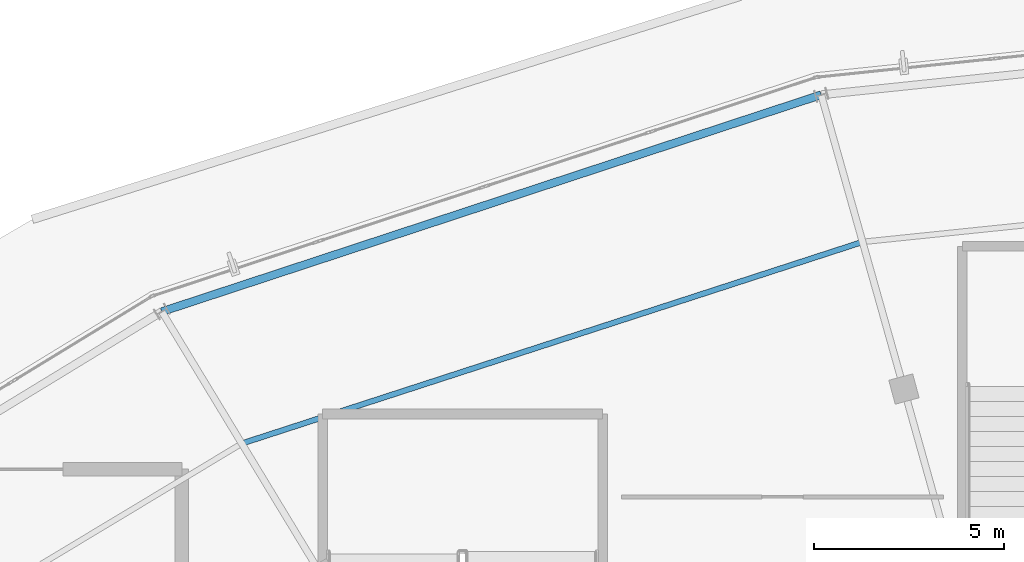
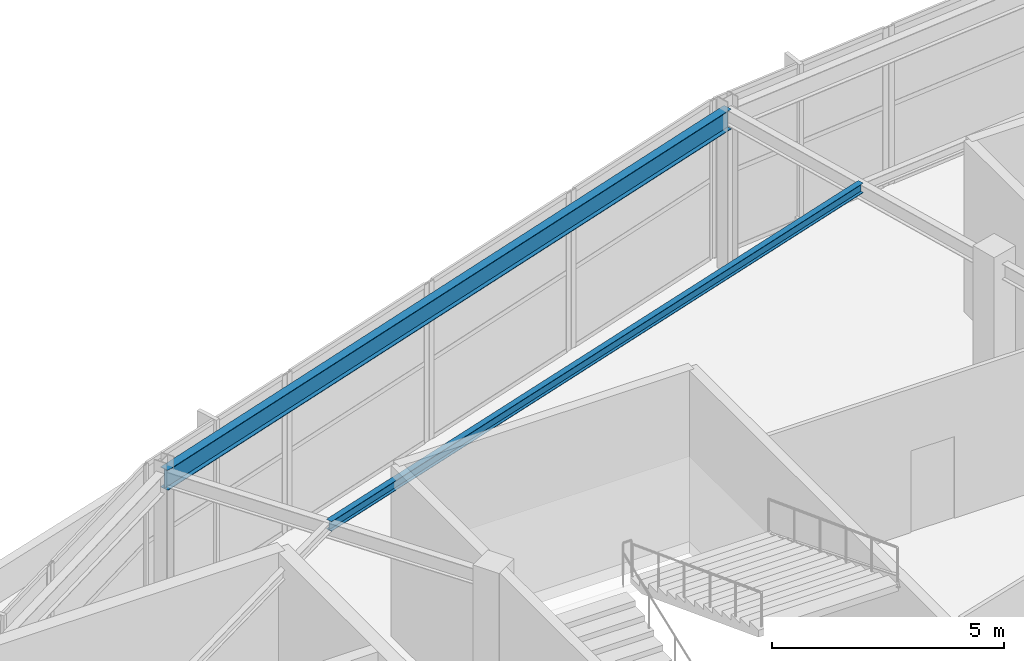
# One storey, part 66 of 126: 2 beams.
"""IFC4 building model written with IfcOpenShell, lengths in metres."""

import ifcopenshell
import ifcopenshell.guid

model = None  # the IFC model being written
_history = None  # IfcOwnerHistory: only IFC2X3 demands one
_inside = {}  # id of a spatial element -> (the spatial element, [elements in it])
_under = {}  # id of a project, library or spatial element -> (it, [spatial elements below it])
_declared = {}  # id of a project -> (the project, [libraries it declares])
_typed = {}  # id of a type object -> (the type object, [elements of that type])
_made_of = {}  # id of a material, layer set ... -> (it, [elements and type objects made of it])


def new_model(schema):
    """Start an empty IFC model of exactly this schema.

    Asked for "IFC4X3", IfcOpenShell would pick the latest addendum, in which some entities
    have other attributes; the version numbers below select the first issue.
    IFC2X3 requires an IfcOwnerHistory on every rooted entity: one is made here for all.
    """
    global model, _history
    if schema == "IFC4X3":
        model = ifcopenshell.file(schema_version=(4, 3, 0, 0))
    else:
        model = ifcopenshell.file(schema=schema)
    _inside.clear()
    _under.clear()
    _declared.clear()
    _typed.clear()
    _made_of.clear()
    _history = None
    if model.schema == "IFC2X3":
        org = make("IfcOrganization", Name="unknown")
        user = make(
            "IfcPersonAndOrganization",
            ThePerson=make("IfcPerson", FamilyName="unknown"),
            TheOrganization=org,
        )
        app = make(
            "IfcApplication",
            ApplicationDeveloper=org,
            Version="unknown",
            ApplicationFullName="unknown",
            ApplicationIdentifier="unknown",
        )
        _history = make(
            "IfcOwnerHistory",
            OwningUser=user,
            OwningApplication=app,
            ChangeAction="ADDED",
            CreationDate=0,
        )
    return model


def make(cls, **values):
    """One entity of the class cls with the attributes given. An attribute that is None is left unset."""
    return model.create_entity(
        cls, **{name: value for name, value in values.items() if value is not None}
    )


def rooted(cls, **values):
    """An entity with a GlobalId (a new one), such as an element, a storey or a relation."""
    return make(cls, GlobalId=ifcopenshell.guid.new(), OwnerHistory=_history, **values)


def si_unit(unit_type, name, prefix=None):
    """IfcSIUnit, for example si_unit("LENGTHUNIT", "METRE", prefix="MILLI")."""
    return make("IfcSIUnit", UnitType=unit_type, Prefix=prefix, Name=name)


def assignment(units):
    """IfcUnitAssignment: the units of a project."""
    return None if units is None else make("IfcUnitAssignment", Units=units)


def point(xyz):
    """IfcCartesianPoint."""
    return None if xyz is None else make("IfcCartesianPoint", Coordinates=xyz)


def direction(xyz):
    """IfcDirection."""
    return None if xyz is None else make("IfcDirection", DirectionRatios=xyz)


def frame(location, z_axis=None, x_axis=None):
    """IfcAxis2Placement3D, a coordinate frame: its origin and axes. An axis left out is left unset."""
    return make(
        "IfcAxis2Placement3D",
        Location=point(location),
        Axis=direction(z_axis),
        RefDirection=direction(x_axis),
    )


def frame_2d(location, x_axis=None):
    """IfcAxis2Placement2D, a coordinate frame in the plane: its origin and x axis."""
    return make(
        "IfcAxis2Placement2D", Location=point(location), RefDirection=direction(x_axis)
    )


def origin():
    """The frame at (0, 0, 0) with its axes left unset."""
    return frame((0.0, 0.0, 0.0))


def origin_2d():
    """The frame at (0, 0) in the plane with its x axis left unset."""
    return frame_2d((0.0, 0.0))


def place(relative_to, where):
    """IfcLocalPlacement: puts the frame where relative to a parent placement (None: the world)."""
    return make(
        "IfcLocalPlacement", PlacementRelTo=relative_to, RelativePlacement=where
    )


def context(
    kind, dimensions, precision=None, world=None, true_north=None, identifier=None
):
    """IfcGeometricRepresentationContext, for example the 3D "Model" context."""
    return make(
        "IfcGeometricRepresentationContext",
        ContextIdentifier=identifier,
        ContextType=kind,
        CoordinateSpaceDimension=dimensions,
        Precision=precision,
        WorldCoordinateSystem=world,
        TrueNorth=true_north,
    )


def subcontext(parent, identifier, kind, view, scale=None):
    """IfcGeometricRepresentationSubContext, for example "Body" below "Model"."""
    return make(
        "IfcGeometricRepresentationSubContext",
        ContextIdentifier=identifier,
        ContextType=kind,
        ParentContext=parent,
        TargetScale=scale,
        TargetView=view,
    )


def project(units=None, contexts=None):
    """IfcProject with its units and contexts."""
    return rooted(
        "IfcProject",
        Name="project",
        RepresentationContexts=contexts,
        UnitsInContext=assignment(units),
    )


def spatial(cls, under=None, at=None, **own):
    """A site, building, storey or space (cls), placed at a placement, below another one or the project."""
    s = rooted(cls, ObjectPlacement=at, **own)
    if under is not None:
        _under.setdefault(under.id(), (under, []))[1].append(s)
    return s


def profile(cls, at=None, kind="AREA", **sizes):
    """A parametric profile (cls). Its sizes go by their IFC names, for example OverallWidth=200.0."""
    return make(cls, ProfileType=kind, Position=at, **sizes)


def i_section(**sizes):
    """IfcIShapeProfileDef."""
    return profile("IfcIShapeProfileDef", **sizes)


def extrude(swept, where, along, depth):
    """IfcExtrudedAreaSolid: the profile swept, set in the frame where, extruded along a direction by depth."""
    return make(
        "IfcExtrudedAreaSolid",
        SweptArea=swept,
        Position=where,
        ExtrudedDirection=direction(along),
        Depth=depth,
    )


def shape(context_of_items, identifier, shape_type, items):
    """IfcShapeRepresentation: the items that make up one representation, for example the "Body"."""
    return make(
        "IfcShapeRepresentation",
        ContextOfItems=context_of_items,
        RepresentationIdentifier=identifier,
        RepresentationType=shape_type,
        Items=items,
    )


def material(Name=None, Category=None):
    """IfcMaterial."""
    return make("IfcMaterial", Name=Name, Category=Category)


def material_profile(
    of_material, cross_section, Name=None, Category=None, Priority=None
):
    """IfcMaterialProfile: a cross section and its material."""
    return make(
        "IfcMaterialProfile",
        Name=Name,
        Material=of_material,
        Profile=cross_section,
        Priority=Priority,
        Category=Category,
    )


def profile_set(profiles, Name=None, composite=None):
    """IfcMaterialProfileSet."""
    return make(
        "IfcMaterialProfileSet",
        Name=Name,
        MaterialProfiles=profiles,
        CompositeProfile=composite,
    )


def made_of(thing, what):
    """Note that an element or type object is made of a material, layer set ...; save() writes the relation."""
    if what is not None:
        _made_of.setdefault(what.id(), (what, []))[1].append(thing)
    return thing


def type_object(cls, material=None, **own):
    """A type object (cls), such as IfcWallType, which elements share."""
    return made_of(rooted(cls, **own), material)


def element(
    cls,
    number,
    at=None,
    inside=None,
    cuts=None,
    type_object=None,
    material=None,
    context=None,
    identifier="Body",
    shape_type=None,
    held_by="IfcProductDefinitionShape",
    body=None,
    shapes=None,
    **own,
):
    """One element of the class cls, such as IfcWall. Its Tag is "e" and its number.

    at: its placement. inside: the storey or other place that contains it. cuts: it is an
    opening in that element (IfcRelVoidsElement). A single representation is given by context,
    identifier, shape_type and body (its items); several are given by shapes. held_by: the class
    of the entity that holds the representations. save() writes the other relations.
    """
    e = rooted(cls, Tag="e%d" % number, ObjectPlacement=at, **own)
    if body is not None:
        shapes = [shape(context, identifier, shape_type, body)]
    if shapes is not None:
        e.Representation = make(held_by, Representations=shapes)
    if inside is not None:
        _inside.setdefault(inside.id(), (inside, []))[1].append(e)
    if cuts is not None:
        rooted(
            "IfcRelVoidsElement", RelatingBuildingElement=cuts, RelatedOpeningElement=e
        )
    if type_object is not None:
        _typed.setdefault(type_object.id(), (type_object, []))[1].append(e)
    return made_of(e, material)


def aggregate(whole, parts):
    """IfcRelAggregates: a whole, such as a stair, and the parts it consists of."""
    return rooted("IfcRelAggregates", RelatingObject=whole, RelatedObjects=parts)


def save(model, path):
    """Write the relations noted so far, then the file.

    IfcRelAggregates (storeys below a building ...), IfcRelContainedInSpatialStructure (elements
    in a storey), IfcRelDefinesByType, IfcRelAssociatesMaterial and IfcRelDeclares: one each for
    every whole, place, type object, material and project.
    """
    for whole, parts in _under.values():
        aggregate(whole, parts)
    for where, things in _inside.values():
        rooted(
            "IfcRelContainedInSpatialStructure",
            RelatedElements=things,
            RelatingStructure=where,
        )
    for kind, things in _typed.values():
        rooted("IfcRelDefinesByType", RelatedObjects=things, RelatingType=kind)
    for what, things in _made_of.values():
        rooted("IfcRelAssociatesMaterial", RelatedObjects=things, RelatingMaterial=what)
    for by, libraries in _declared.values():
        rooted("IfcRelDeclares", RelatingContext=by, RelatedDefinitions=libraries)
    model.write(path)


model = new_model("IFC4")

# Units and contexts
model_context = context("Model", 3, precision=1e-05, world=origin(), true_north=direction((0.0, 1.0)))
body_context = subcontext(model_context, "Body", "Model", "MODEL_VIEW")
ifc_project = project(units=[si_unit("LENGTHUNIT", "METRE"), si_unit("AREAUNIT", "SQUARE_METRE"), si_unit("VOLUMEUNIT", "CUBIC_METRE"), si_unit("PLANEANGLEUNIT", "RADIAN"), si_unit("MASSUNIT", "GRAM", prefix="KILO")], contexts=[model_context])

# Site, building, storey
site_placement = place(None, origin())
site = spatial("IfcSite", under=ifc_project, at=site_placement, CompositionType="ELEMENT")
building_placement = place(site_placement, origin())
building = spatial("IfcBuilding", under=site, at=building_placement, Name="Kalgoora Escarpment Arena", CompositionType="ELEMENT")
storey_placement = place(building_placement, frame((0.0, 0.0, 18.89990234375)))
storey = spatial("IfcBuildingStorey", under=building, at=storey_placement, Name="L04", CompositionType="ELEMENT", Elevation=18.89990234375)

# Beams
ifc_material_1 = material(Name="Structural steel AS/NZS 3679 (300 MPa)", Category="steel")
ifc_material_profile_1 = material_profile(ifc_material_1, i_section(OverallWidth=0.14599609375, OverallDepth=0.256103515625, WebThickness=0.00634765625, FlangeThickness=0.010986328125, at=origin_2d()))
ifc_profile_set_1 = profile_set([ifc_material_profile_1], Name="Structural steel AS/NZS 3679 (300 MPa)")
beam_type_1 = type_object("IfcBeamType", Name="BM-BEAM-250UB37.3", PredefinedType="BEAM", material=ifc_profile_set_1)
beam_1_placement = place(storey_placement, frame((74.90380859375, 115.194091796875, 4.092041015625), z_axis=(-0.951103123122, -0.308873516489, 0.0), x_axis=(0.308873516489, -0.951103123122, 0.0)))
element("IfcBeam", 1, at=beam_1_placement, inside=storey, type_object=beam_type_1, Name="L04 Concourse secondary ring beam 250UB37.3", PredefinedType="BEAM", context=body_context, shape_type="SweptSolid", body=[
    extrude(i_section(OverallWidth=0.14599609375, OverallDepth=0.256103515625, WebThickness=0.00634765625, FlangeThickness=0.010986328125, at=origin_2d()), origin(), (0.0, 0.0, 1.0), 17.141845703125),
])
ifc_material_2 = material(Name="Structural steel AS/NZS 3679 (300 MPa)", Category="steel")
ifc_material_profile_2 = material_profile(ifc_material_2, i_section(OverallWidth=0.208984375, OverallDepth=0.532958984375, WebThickness=0.01025390625, FlangeThickness=0.015625, at=origin_2d()))
ifc_profile_set_2 = profile_set([ifc_material_profile_2], Name="Structural steel AS/NZS 3679 (300 MPa)")
beam_type_2 = type_object("IfcBeamType", Name="BM-SPANDREL-530UB92.4", PredefinedType="SPANDREL", material=ifc_profile_set_2)
beam_2_placement = place(storey_placement, frame((73.81689453125, 119.057861328125, 3.95361328125), z_axis=(-0.949954555117, -0.312388129115, 0.0), x_axis=(0.312388129115, -0.949954555117, 0.0)))
element("IfcBeam", 2, at=beam_2_placement, inside=storey, type_object=beam_type_2, Name="L04 Circumferential concourse girder RCONC2 530UB92.4", PredefinedType="SPANDREL", context=body_context, shape_type="SweptSolid", body=[
    extrude(i_section(OverallWidth=0.208984375, OverallDepth=0.532958984375, WebThickness=0.01025390625, FlangeThickness=0.015625, at=origin_2d()), origin(), (0.0, 0.0, 1.0), 18.229248046875),
])

save(model, "model.ifc")
